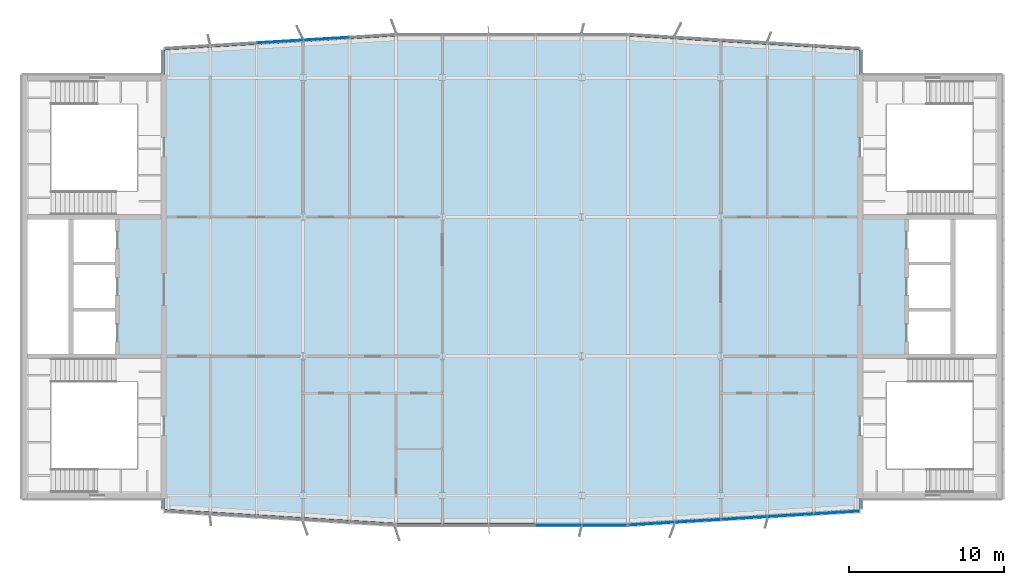
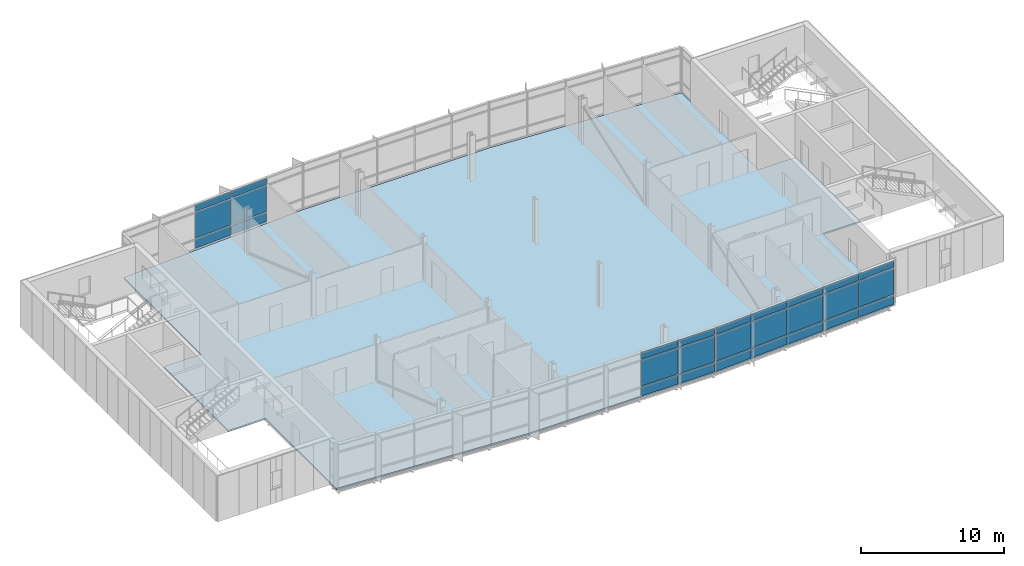
# One storey, part 11 of 20: 27 plates, 1 slab, 3 elements without a shape of their own.
"""IFC4 building model written with IfcOpenShell, lengths in metres."""

from ifc_helpers import new_model, si_unit, direction, frame, origin, origin_2d, place, context, subcontext, project, spatial, polyline, rectangle, outline, extrude, material, layer, layer_set, type_object, element, aggregate, save


model = new_model("IFC4")

# Units and contexts
model_context = context("Model", 3, precision=1e-05, world=origin(), true_north=direction((0.0, 1.0)))
body_context = subcontext(model_context, "Body", "Model", "MODEL_VIEW")
ifc_project = project(units=[si_unit("LENGTHUNIT", "METRE"), si_unit("AREAUNIT", "SQUARE_METRE"), si_unit("VOLUMEUNIT", "CUBIC_METRE"), si_unit("PLANEANGLEUNIT", "RADIAN"), si_unit("MASSUNIT", "GRAM", prefix="KILO")], contexts=[model_context])

# Site, building, storey
site_placement = place(None, origin())
site = spatial("IfcSite", under=ifc_project, at=site_placement, CompositionType="ELEMENT")
building_placement = place(site_placement, origin())
building = spatial("IfcBuilding", under=site, at=building_placement, Name="Azimuth Sports and Learning Centre", CompositionType="ELEMENT")
storey_placement = place(building_placement, frame((0.0, 0.0, 44.10009765625)))
storey = spatial("IfcBuildingStorey", under=building, at=storey_placement, Name="L09", CompositionType="ELEMENT", Elevation=44.10009765625)

# Slab
ifc_material_1 = material(Name="Concrete C30/37", Category="concrete")
ifc_layer_1 = layer(ifc_material_1, 0.1298828125)
ifc_layer_set_1 = layer_set([ifc_layer_1], Name="Concrete C30/37")
slab_type = type_object("IfcSlabType", Name="Composite floor slab 130", PredefinedType="FLOOR", material=ifc_layer_set_1)
slab_placement = place(storey_placement, frame((0.0, 0.0, -0.130126953125)))
element("IfcSlab", 1, at=slab_placement, inside=storey, type_object=slab_type, Name="Slab TOWER L09", PredefinedType="FLOOR", context=body_context, shape_type="SweptSolid", body=[
    extrude(outline(polyline([(78.0, 88.199951171875), (93.0, 88.199951171875), (108.0, 89.10009765625), (108.0, 99.0), (111.0, 99.0), (111.0, 108.0), (108.0, 108.0), (108.0, 118.800048828125), (93.0, 119.699951171875), (78.0, 119.699951171875), (63.0, 118.800048828125), (63.0, 108.0), (60.0, 108.0), (60.0, 99.0), (63.0, 99.0), (63.0, 89.10009765625), (78.0, 88.199951171875)])), origin(), (0.0, 0.0, 1.0), 0.130126953125),
])

# Curtain wall, plates
ifc_material_2 = material(Name="Aluminium and glass", Category="aluminium")
curtain_wall_type_1 = type_object("IfcCurtainWallType", Name="Curtain wall tower south 240", PredefinedType="NOTDEFINED", material=ifc_material_2)
curtain_wall_1_placement = place(storey_placement, origin())
curtain_wall_1 = element("IfcCurtainWall", 2, at=curtain_wall_1_placement, inside=storey, type_object=curtain_wall_type_1, Name="Curtain wall CW09-003", PredefinedType="NOTDEFINED")
ifc_material_3 = material(Name="Insulated aluminium panel", Category="aluminium")
ifc_layer_2 = layer(ifc_material_3, 0.050048828125)
ifc_layer_set_2 = layer_set([ifc_layer_2], Name="Insulated aluminium panel")
plate_type_1 = type_object("IfcPlateType", Name="Spandrel panel 50 mm", PredefinedType="CURTAIN_PANEL", material=ifc_layer_set_2)
plate_1_placement = place(storey_placement, frame((88.5, 88.080078125, 0.099853515625), z_axis=(0.0, 0.0, 1.0), x_axis=(1.0, 0.0, 0.0)))
plate_1 = element("IfcPlate", 3, at=plate_1_placement, type_object=plate_type_1, Name="CW09-003 panel 4.1", PredefinedType="CURTAIN_PANEL", context=body_context, shape_type="SweptSolid", body=[
    extrude(rectangle(XDim=2.929931640625, YDim=0.050048828125, at=origin_2d()), origin(), (0.0, 0.0, 1.0), 0.75),
])
plate_2_placement = place(storey_placement, frame((88.5, 88.080078125, 3.25), z_axis=(0.0, 0.0, 1.0), x_axis=(1.0, 0.0, 0.0)))
plate_2 = element("IfcPlate", 4, at=plate_2_placement, type_object=plate_type_1, Name="CW09-003 panel 4.3", PredefinedType="CURTAIN_PANEL", context=body_context, shape_type="SweptSolid", body=[
    extrude(rectangle(XDim=2.929931640625, YDim=0.050048828125, at=origin_2d()), origin(), (0.0, 0.0, 1.0), 0.550048828125),
])
plate_3_placement = place(storey_placement, frame((91.482421875, 88.080078125, 0.099853515625), z_axis=(0.0, 0.0, 1.0), x_axis=(1.0, 0.0, 0.0)))
plate_3 = element("IfcPlate", 5, at=plate_3_placement, type_object=plate_type_1, Name="CW09-003 panel 5.1", PredefinedType="CURTAIN_PANEL", context=body_context, shape_type="SweptSolid", body=[
    extrude(rectangle(XDim=2.89501953125, YDim=0.050048828125, at=origin_2d()), origin(), (0.0, 0.0, 1.0), 0.75),
])
plate_4_placement = place(storey_placement, frame((91.482421875, 88.080078125, 3.25), z_axis=(0.0, 0.0, 1.0), x_axis=(1.0, 0.0, 0.0)))
plate_4 = element("IfcPlate", 6, at=plate_4_placement, type_object=plate_type_1, Name="CW09-003 panel 5.3", PredefinedType="CURTAIN_PANEL", context=body_context, shape_type="SweptSolid", body=[
    extrude(rectangle(XDim=2.89501953125, YDim=0.050048828125, at=origin_2d()), origin(), (0.0, 0.0, 1.0), 0.550048828125),
])

curtain_wall_2_placement = place(storey_placement, origin())
curtain_wall_2 = element("IfcCurtainWall", 7, at=curtain_wall_2_placement, inside=storey, type_object=curtain_wall_type_1, Name="Curtain wall CW09-004", PredefinedType="NOTDEFINED")
plate_5_placement = place(storey_placement, frame((94.52099609375, 88.171142578125, 0.099853515625), z_axis=(0.0, 0.0, 1.0), x_axis=(0.998204863401, 0.059891991812, 0.0)))
plate_5 = element("IfcPlate", 8, at=plate_5_placement, type_object=plate_type_1, Name="CW09-004 panel 1.1", PredefinedType="CURTAIN_PANEL", context=body_context, shape_type="SweptSolid", body=[
    extrude(rectangle(XDim=2.90771484375, YDim=0.050048828125, at=origin_2d()), origin(), (0.0, 0.0, 1.0), 0.75),
])
plate_6_placement = place(storey_placement, frame((94.52099609375, 88.171142578125, 3.25), z_axis=(0.0, 0.0, 1.0), x_axis=(0.998204863401, 0.059891991812, 0.0)))
plate_6 = element("IfcPlate", 9, at=plate_6_placement, type_object=plate_type_1, Name="CW09-004 panel 1.3", PredefinedType="CURTAIN_PANEL", context=body_context, shape_type="SweptSolid", body=[
    extrude(rectangle(XDim=2.90771484375, YDim=0.050048828125, at=origin_2d()), origin(), (0.0, 0.0, 1.0), 0.550048828125),
])
plate_7_placement = place(storey_placement, frame((97.507080078125, 88.35009765625, 0.099853515625), z_axis=(0.0, 0.0, 1.0), x_axis=(0.998204863401, 0.059891991812, 0.0)))
plate_7 = element("IfcPlate", 10, at=plate_7_placement, type_object=plate_type_1, Name="CW09-004 panel 2.1", PredefinedType="CURTAIN_PANEL", context=body_context, shape_type="SweptSolid", body=[
    extrude(rectangle(XDim=2.935302734375, YDim=0.050048828125, at=origin_2d()), origin(), (0.0, 0.0, 1.0), 0.75),
])
plate_8_placement = place(storey_placement, frame((97.507080078125, 88.35009765625, 3.25), z_axis=(0.0, 0.0, 1.0), x_axis=(0.998204863401, 0.059891991812, 0.0)))
plate_8 = element("IfcPlate", 11, at=plate_8_placement, type_object=plate_type_1, Name="CW09-004 panel 2.3", PredefinedType="CURTAIN_PANEL", context=body_context, shape_type="SweptSolid", body=[
    extrude(rectangle(XDim=2.935302734375, YDim=0.050048828125, at=origin_2d()), origin(), (0.0, 0.0, 1.0), 0.550048828125),
])
plate_9_placement = place(storey_placement, frame((100.507080078125, 88.5302734375, 0.099853515625), z_axis=(0.0, 0.0, 1.0), x_axis=(0.998204863401, 0.059891991812, 0.0)))
plate_9 = element("IfcPlate", 12, at=plate_9_placement, type_object=plate_type_1, Name="CW09-004 panel 3.1", PredefinedType="CURTAIN_PANEL", context=body_context, shape_type="SweptSolid", body=[
    extrude(rectangle(XDim=2.935302734375, YDim=0.050048828125, at=origin_2d()), origin(), (0.0, 0.0, 1.0), 0.75),
])
plate_10_placement = place(storey_placement, frame((100.507080078125, 88.5302734375, 3.25), z_axis=(0.0, 0.0, 1.0), x_axis=(0.998204863401, 0.059891991812, 0.0)))
plate_10 = element("IfcPlate", 13, at=plate_10_placement, type_object=plate_type_1, Name="CW09-004 panel 3.3", PredefinedType="CURTAIN_PANEL", context=body_context, shape_type="SweptSolid", body=[
    extrude(rectangle(XDim=2.935302734375, YDim=0.050048828125, at=origin_2d()), origin(), (0.0, 0.0, 1.0), 0.550048828125),
])
plate_11_placement = place(storey_placement, frame((103.507080078125, 88.710205078125, 0.099853515625), z_axis=(0.0, 0.0, 1.0), x_axis=(0.998204863401, 0.059891991812, 0.0)))
plate_11 = element("IfcPlate", 14, at=plate_11_placement, type_object=plate_type_1, Name="CW09-004 panel 4.1", PredefinedType="CURTAIN_PANEL", context=body_context, shape_type="SweptSolid", body=[
    extrude(rectangle(XDim=2.935302734375, YDim=0.050048828125, at=origin_2d()), origin(), (0.0, 0.0, 1.0), 0.75),
])
plate_12_placement = place(storey_placement, frame((103.507080078125, 88.710205078125, 3.25), z_axis=(0.0, 0.0, 1.0), x_axis=(0.998204863401, 0.059891991812, 0.0)))
plate_12 = element("IfcPlate", 15, at=plate_12_placement, type_object=plate_type_1, Name="CW09-004 panel 4.3", PredefinedType="CURTAIN_PANEL", context=body_context, shape_type="SweptSolid", body=[
    extrude(rectangle(XDim=2.935302734375, YDim=0.050048828125, at=origin_2d()), origin(), (0.0, 0.0, 1.0), 0.550048828125),
])
plate_13_placement = place(storey_placement, frame((106.48974609375, 88.88916015625, 0.099853515625), z_axis=(0.0, 0.0, 1.0), x_axis=(0.998204863401, 0.059891991812, 0.0)))
plate_13 = element("IfcPlate", 16, at=plate_13_placement, type_object=plate_type_1, Name="CW09-004 panel 5.1", PredefinedType="CURTAIN_PANEL", context=body_context, shape_type="SweptSolid", body=[
    extrude(rectangle(XDim=2.900390625, YDim=0.050048828125, at=origin_2d()), origin(), (0.0, 0.0, 1.0), 0.75),
])
plate_14_placement = place(storey_placement, frame((106.48974609375, 88.88916015625, 3.25), z_axis=(0.0, 0.0, 1.0), x_axis=(0.998204863401, 0.059891991812, 0.0)))
plate_14 = element("IfcPlate", 17, at=plate_14_placement, type_object=plate_type_1, Name="CW09-004 panel 5.3", PredefinedType="CURTAIN_PANEL", context=body_context, shape_type="SweptSolid", body=[
    extrude(rectangle(XDim=2.900390625, YDim=0.050048828125, at=origin_2d()), origin(), (0.0, 0.0, 1.0), 0.550048828125),
])

ifc_material_4 = material(Name="Aluminium and glass", Category="aluminium")
curtain_wall_type_2 = type_object("IfcCurtainWallType", Name="Curtain wall tower north 180", PredefinedType="NOTDEFINED", material=ifc_material_4)
curtain_wall_3_placement = place(storey_placement, origin())
curtain_wall_3 = element("IfcCurtainWall", 18, at=curtain_wall_3_placement, inside=storey, type_object=curtain_wall_type_2, Name="Curtain wall CW09-009", PredefinedType="NOTDEFINED")
plate_15_placement = place(storey_placement, frame((73.49462890625, 119.519775390625, 0.099853515625), z_axis=(0.0, 0.0, 1.0), x_axis=(-0.998204863401, -0.059891991812, 0.0)))
plate_15 = element("IfcPlate", 19, at=plate_15_placement, type_object=plate_type_1, Name="CW09-009 panel 2.1", PredefinedType="CURTAIN_PANEL", context=body_context, shape_type="SweptSolid", body=[
    extrude(rectangle(XDim=2.9453125, YDim=0.050048828125, at=origin_2d()), origin(), (0.0, 0.0, 1.0), 0.75),
])
plate_16_placement = place(storey_placement, frame((73.49462890625, 119.519775390625, 3.25), z_axis=(0.0, 0.0, 1.0), x_axis=(-0.998204863401, -0.059891991812, 0.0)))
plate_16 = element("IfcPlate", 20, at=plate_16_placement, type_object=plate_type_1, Name="CW09-009 panel 2.3", PredefinedType="CURTAIN_PANEL", context=body_context, shape_type="SweptSolid", body=[
    extrude(rectangle(XDim=2.9453125, YDim=0.050048828125, at=origin_2d()), origin(), (0.0, 0.0, 1.0), 0.550048828125),
])
plate_17_placement = place(storey_placement, frame((70.49462890625, 119.33984375, 0.099853515625), z_axis=(0.0, 0.0, 1.0), x_axis=(-0.998204863401, -0.059891991812, 0.0)))
plate_17 = element("IfcPlate", 21, at=plate_17_placement, type_object=plate_type_1, Name="CW09-009 panel 3.1", PredefinedType="CURTAIN_PANEL", context=body_context, shape_type="SweptSolid", body=[
    extrude(rectangle(XDim=2.9453125, YDim=0.050048828125, at=origin_2d()), origin(), (0.0, 0.0, 1.0), 0.75),
])
plate_18_placement = place(storey_placement, frame((70.49462890625, 119.33984375, 3.25), z_axis=(0.0, 0.0, 1.0), x_axis=(-0.998204863401, -0.059891991812, 0.0)))
plate_18 = element("IfcPlate", 22, at=plate_18_placement, type_object=plate_type_1, Name="CW09-009 panel 3.3", PredefinedType="CURTAIN_PANEL", context=body_context, shape_type="SweptSolid", body=[
    extrude(rectangle(XDim=2.9453125, YDim=0.050048828125, at=origin_2d()), origin(), (0.0, 0.0, 1.0), 0.550048828125),
])

# Plate
ifc_material_5 = material(Name="Glass", Category="glass")
ifc_layer_3 = layer(ifc_material_5, 0.031982421875)
ifc_layer_set_3 = layer_set([ifc_layer_3], Name="Glass")
plate_type_2 = type_object("IfcPlateType", Name="Vision glass 32 mm", PredefinedType="CURTAIN_PANEL", material=ifc_layer_set_3)
plate_19_placement = place(storey_placement, frame((88.5, 88.080078125, 0.94970703125), z_axis=(0.0, 0.0, 1.0), x_axis=(1.0, 0.0, 0.0)))
plate_19 = element("IfcPlate", 23, at=plate_19_placement, type_object=plate_type_2, Name="CW09-003 panel 4.2", PredefinedType="CURTAIN_PANEL", context=body_context, shape_type="SweptSolid", body=[
    extrude(rectangle(XDim=2.929931640625, YDim=0.031982421875, at=origin_2d()), origin(), (0.0, 0.0, 1.0), 2.199951171875),
])

plate_20_placement = place(storey_placement, frame((91.482421875, 88.080078125, 0.94970703125), z_axis=(0.0, 0.0, 1.0), x_axis=(1.0, 0.0, 0.0)))
plate_20 = element("IfcPlate", 24, at=plate_20_placement, type_object=plate_type_2, Name="CW09-003 panel 5.2", PredefinedType="CURTAIN_PANEL", context=body_context, shape_type="SweptSolid", body=[
    extrude(rectangle(XDim=2.89501953125, YDim=0.031982421875, at=origin_2d()), origin(), (0.0, 0.0, 1.0), 2.199951171875),
])

aggregate(curtain_wall_1, [plate_1, plate_19, plate_2, plate_3, plate_20, plate_4])

plate_21_placement = place(storey_placement, frame((94.52099609375, 88.171142578125, 0.94970703125), z_axis=(0.0, 0.0, 1.0), x_axis=(0.998204863401, 0.059891991812, 0.0)))
plate_21 = element("IfcPlate", 25, at=plate_21_placement, type_object=plate_type_2, Name="CW09-004 panel 1.2", PredefinedType="CURTAIN_PANEL", context=body_context, shape_type="SweptSolid", body=[
    extrude(rectangle(XDim=2.90771484375, YDim=0.031982421875, at=origin_2d()), origin(), (0.0, 0.0, 1.0), 2.199951171875),
])

plate_22_placement = place(storey_placement, frame((97.507080078125, 88.35009765625, 0.94970703125), z_axis=(0.0, 0.0, 1.0), x_axis=(0.998204863401, 0.059891991812, 0.0)))
plate_22 = element("IfcPlate", 26, at=plate_22_placement, type_object=plate_type_2, Name="CW09-004 panel 2.2", PredefinedType="CURTAIN_PANEL", context=body_context, shape_type="SweptSolid", body=[
    extrude(rectangle(XDim=2.935302734375, YDim=0.031982421875, at=origin_2d()), origin(), (0.0, 0.0, 1.0), 2.199951171875),
])

plate_23_placement = place(storey_placement, frame((100.507080078125, 88.5302734375, 0.94970703125), z_axis=(0.0, 0.0, 1.0), x_axis=(0.998204863401, 0.059891991812, 0.0)))
plate_23 = element("IfcPlate", 27, at=plate_23_placement, type_object=plate_type_2, Name="CW09-004 panel 3.2", PredefinedType="CURTAIN_PANEL", context=body_context, shape_type="SweptSolid", body=[
    extrude(rectangle(XDim=2.935302734375, YDim=0.031982421875, at=origin_2d()), origin(), (0.0, 0.0, 1.0), 2.199951171875),
])

plate_24_placement = place(storey_placement, frame((103.507080078125, 88.710205078125, 0.94970703125), z_axis=(0.0, 0.0, 1.0), x_axis=(0.998204863401, 0.059891991812, 0.0)))
plate_24 = element("IfcPlate", 28, at=plate_24_placement, type_object=plate_type_2, Name="CW09-004 panel 4.2", PredefinedType="CURTAIN_PANEL", context=body_context, shape_type="SweptSolid", body=[
    extrude(rectangle(XDim=2.935302734375, YDim=0.031982421875, at=origin_2d()), origin(), (0.0, 0.0, 1.0), 2.199951171875),
])

plate_25_placement = place(storey_placement, frame((106.48974609375, 88.88916015625, 0.94970703125), z_axis=(0.0, 0.0, 1.0), x_axis=(0.998204863401, 0.059891991812, 0.0)))
plate_25 = element("IfcPlate", 29, at=plate_25_placement, type_object=plate_type_2, Name="CW09-004 panel 5.2", PredefinedType="CURTAIN_PANEL", context=body_context, shape_type="SweptSolid", body=[
    extrude(rectangle(XDim=2.900390625, YDim=0.031982421875, at=origin_2d()), origin(), (0.0, 0.0, 1.0), 2.199951171875),
])

aggregate(curtain_wall_2, [plate_5, plate_21, plate_6, plate_7, plate_22, plate_8, plate_9, plate_23, plate_10, plate_11, plate_24, plate_12, plate_13, plate_25, plate_14])

plate_26_placement = place(storey_placement, frame((73.49462890625, 119.519775390625, 0.94970703125), z_axis=(0.0, 0.0, 1.0), x_axis=(-0.998204863401, -0.059891991812, 0.0)))
plate_26 = element("IfcPlate", 30, at=plate_26_placement, type_object=plate_type_2, Name="CW09-009 panel 2.2", PredefinedType="CURTAIN_PANEL", context=body_context, shape_type="SweptSolid", body=[
    extrude(rectangle(XDim=2.9453125, YDim=0.031982421875, at=origin_2d()), origin(), (0.0, 0.0, 1.0), 2.199951171875),
])

plate_27_placement = place(storey_placement, frame((70.49462890625, 119.33984375, 0.94970703125), z_axis=(0.0, 0.0, 1.0), x_axis=(-0.998204863401, -0.059891991812, 0.0)))
plate_27 = element("IfcPlate", 31, at=plate_27_placement, type_object=plate_type_2, Name="CW09-009 panel 3.2", PredefinedType="CURTAIN_PANEL", context=body_context, shape_type="SweptSolid", body=[
    extrude(rectangle(XDim=2.9453125, YDim=0.031982421875, at=origin_2d()), origin(), (0.0, 0.0, 1.0), 2.199951171875),
])

aggregate(curtain_wall_3, [plate_15, plate_26, plate_16, plate_17, plate_27, plate_18])

save(model, "model.ifc")
